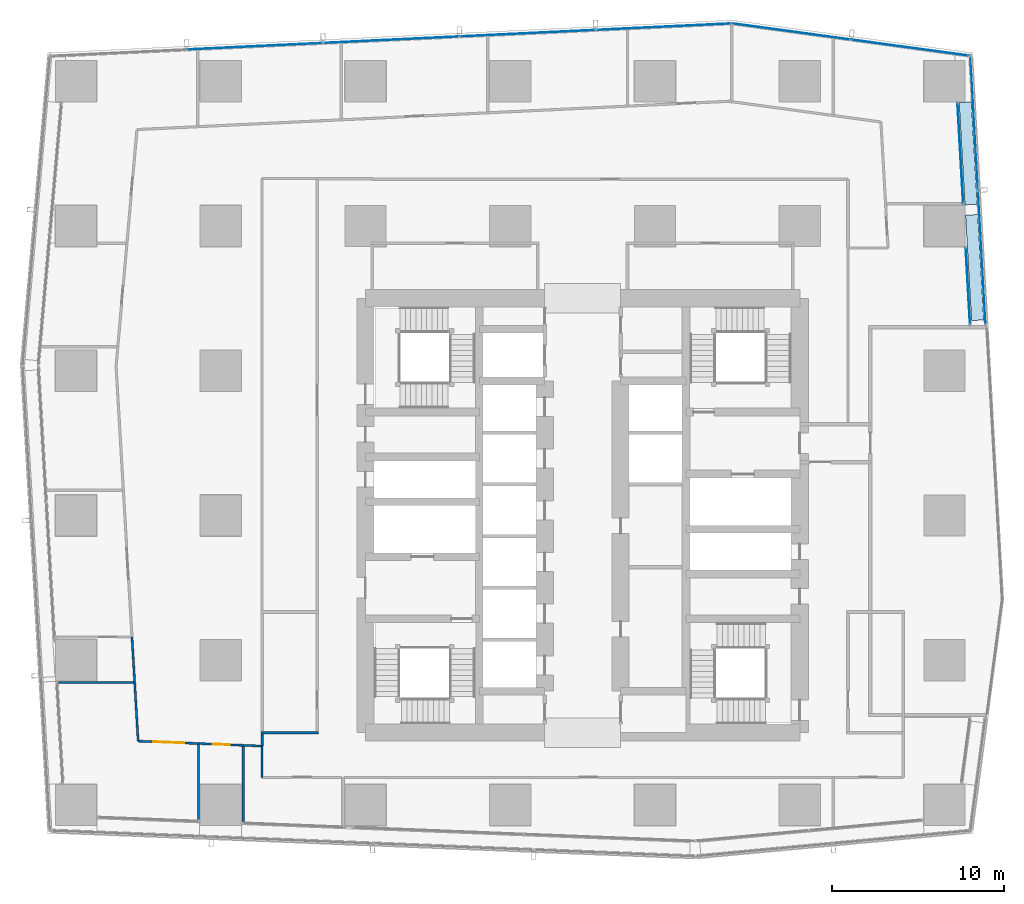
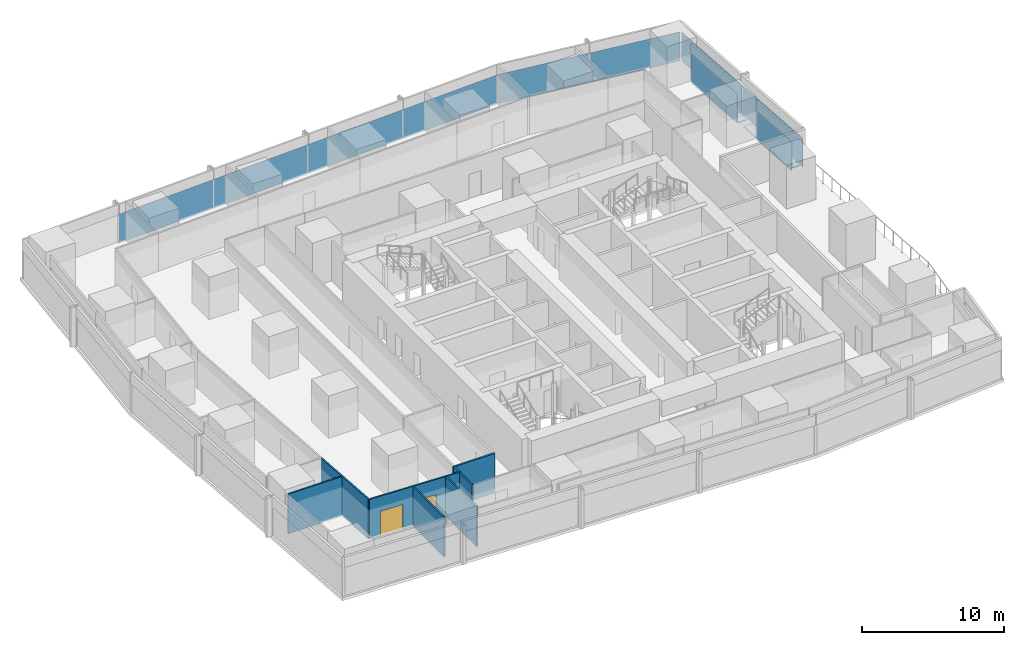
# One storey, part 22 of 34: 12 plates, 11 walls, 2 doors, 2 openings, 5 elements without a shape of their own.
"""IFC4 building model written with IfcOpenShell, lengths in metres."""

from ifc_helpers import new_model, si_unit, direction, frame, frame_2d, origin, origin_2d, place, context, subcontext, project, spatial, rectangle, extrude, material, layer, layer_set, type_object, element, fill, aggregate, save


model = new_model("IFC4")

# Units and contexts
model_context = context("Model", 3, precision=1e-05, world=origin(), true_north=direction((0.0, 1.0)))
body_context = subcontext(model_context, "Body", "Model", "MODEL_VIEW")
ifc_project = project(units=[si_unit("LENGTHUNIT", "METRE"), si_unit("AREAUNIT", "SQUARE_METRE"), si_unit("VOLUMEUNIT", "CUBIC_METRE"), si_unit("PLANEANGLEUNIT", "RADIAN"), si_unit("MASSUNIT", "GRAM", prefix="KILO")], contexts=[model_context])

# Site, building, storey
site_placement = place(None, origin())
site = spatial("IfcSite", under=ifc_project, at=site_placement, CompositionType="ELEMENT")
building_placement = place(site_placement, origin())
building = spatial("IfcBuilding", under=site, at=building_placement, Name="Rekha Terrace Tower", CompositionType="ELEMENT")
storey_placement = place(building_placement, frame((0.0, 0.0, 236.449951171875)))
storey = spatial("IfcBuildingStorey", under=building, at=storey_placement, Name="L60", CompositionType="ELEMENT", Elevation=236.449951171875)

# Curtain wall, plate
ifc_material_1 = material(Name="Aluminium framing", Category="aluminium")
curtain_wall_type_1 = type_object("IfcCurtainWallType", Name="CW1 double skin inner glazing", PredefinedType="USERDEFINED", material=ifc_material_1)
curtain_wall_1_placement = place(storey_placement, origin())
curtain_wall_1 = element("IfcCurtainWall", 1, at=curtain_wall_1_placement, inside=storey, type_object=curtain_wall_type_1, Name="CW1 double skin inner glazing", ObjectType="DOUBLE SKIN INNER GLAZING", PredefinedType="USERDEFINED")
ifc_material_2 = material(Name="Double-glazed low-e unit 32", Category="glass")
ifc_layer_1 = layer(ifc_material_2, 0.031982421875)
ifc_layer_set_1 = layer_set([ifc_layer_1], Name="Double-glazed low-e unit 32")
plate_type_1 = type_object("IfcPlateType", Name="CW1 jumbo vision panel, double-glazed low-e unit 32", PredefinedType="CURTAIN_PANEL", material=ifc_layer_set_1)
plate_1_placement = place(storey_placement, frame((60.1572265625, 46.90478515625, 0.0), z_axis=(0.0, 0.0, 1.0), x_axis=(-0.056673194894, 0.998392782917, 0.0)))
plate_1 = element("IfcPlate", 2, at=plate_1_placement, type_object=plate_type_1, Name="CW1 panel 1.1", PredefinedType="CURTAIN_PANEL", context=body_context, shape_type="SweptSolid", body=[
    extrude(rectangle(XDim=4.430908203125, YDim=0.031982421875, at=origin_2d()), origin(), (0.0, 0.0, 1.0), 2.5),
])
aggregate(curtain_wall_1, [plate_1])

curtain_wall_2_placement = place(storey_placement, origin())
curtain_wall_2 = element("IfcCurtainWall", 3, at=curtain_wall_2_placement, inside=storey, type_object=curtain_wall_type_1, Name="CW1 double skin inner glazing", ObjectType="DOUBLE SKIN INNER GLAZING", PredefinedType="USERDEFINED")
plate_2_placement = place(storey_placement, frame((59.720458984375, 54.60009765625, 0.0), z_axis=(0.0, 0.0, 1.0), x_axis=(-0.056673194877, 0.998392782918, 0.0)))
plate_2 = element("IfcPlate", 4, at=plate_2_placement, type_object=plate_type_1, Name="CW1 panel 1.1", PredefinedType="CURTAIN_PANEL", context=body_context, shape_type="SweptSolid", body=[
    extrude(rectangle(XDim=5.828857421875, YDim=0.031982421875, at=origin_2d()), origin(), (0.0, 0.0, 1.0), 2.5),
])
aggregate(curtain_wall_2, [plate_2])

# Curtain wall, plates
curtain_wall_type_2 = type_object("IfcCurtainWallType", Name="CW2 double skin outer glazing", PredefinedType="USERDEFINED", material=ifc_material_1)
curtain_wall_3_placement = place(storey_placement, origin())
curtain_wall_3 = element("IfcCurtainWall", 5, at=curtain_wall_3_placement, inside=storey, type_object=curtain_wall_type_2, Name="CW2 double skin outer glazing", ObjectType="DOUBLE SKIN OUTER GLAZING", PredefinedType="USERDEFINED")
ifc_material_3 = material(Name="Toughened single glazing 12", Category="glass")
ifc_layer_2 = layer(ifc_material_3, 0.011962890625)
ifc_layer_set_2 = layer_set([ifc_layer_2], Name="Toughened single glazing 12")
plate_type_2 = type_object("IfcPlateType", Name="CW2 jumbo vision panel, toughened single glazing 12", PredefinedType="CURTAIN_PANEL", material=ifc_layer_set_2)
plate_3_placement = place(storey_placement, frame((60.964111328125, 48.568359375, 0.0), z_axis=(0.0, 0.0, 1.0), x_axis=(-0.05667319486, 0.998392782919, 0.0)))
plate_3 = element("IfcPlate", 6, at=plate_3_placement, type_object=plate_type_2, Name="CW2 panel 1.1", PredefinedType="CURTAIN_PANEL", context=body_context, shape_type="SweptSolid", body=[
    extrude(rectangle(XDim=7.733154296875, YDim=0.011962890625, at=origin_2d()), origin(), (0.0, 0.0, 1.0), 2.5),
])
plate_4_placement = place(storey_placement, frame((60.521484375, 56.368896484375, 0.0), z_axis=(0.0, 0.0, 1.0), x_axis=(-0.05667319486, 0.998392782919, 0.0)))
plate_4 = element("IfcPlate", 7, at=plate_4_placement, type_object=plate_type_2, Name="CW2 panel 2.1", PredefinedType="CURTAIN_PANEL", context=body_context, shape_type="SweptSolid", body=[
    extrude(rectangle(XDim=7.733154296875, YDim=0.011962890625, at=origin_2d()), origin(), (0.0, 0.0, 1.0), 2.5),
])
aggregate(curtain_wall_3, [plate_3, plate_4])

curtain_wall_type_3 = type_object("IfcCurtainWallType", Name="CW3 north unitised glazing", PredefinedType="USERDEFINED", material=ifc_material_1)
curtain_wall_4_placement = place(storey_placement, origin())
curtain_wall_4 = element("IfcCurtainWall", 8, at=curtain_wall_4_placement, inside=storey, type_object=curtain_wall_type_3, Name="CW3 unitised curtain wall", ObjectType="UNITISED CURTAIN WALL", PredefinedType="USERDEFINED")
ifc_material_4 = material(Name="Double-glazed unit 28", Category="glass")
ifc_layer_3 = layer(ifc_material_4, 0.028076171875)
ifc_layer_set_3 = layer_set([ifc_layer_3], Name="Double-glazed unit 28")
plate_type_3 = type_object("IfcPlateType", Name="CW3 jumbo vision panel, double-glazed unit 28", PredefinedType="CURTAIN_PANEL", material=ifc_layer_set_3)
plate_5_placement = place(storey_placement, frame((56.797119140625, 60.745361328125, 0.0), z_axis=(0.0, 0.0, 1.0), x_axis=(-0.990867270504, 0.134840840416, 0.0)))
plate_5 = element("IfcPlate", 9, at=plate_5_placement, type_object=plate_type_3, Name="CW3 panel 1.1", PredefinedType="CURTAIN_PANEL", context=body_context, shape_type="SweptSolid", body=[
    extrude(rectangle(XDim=6.8486328125, YDim=0.028076171875, at=origin_2d()), origin(), (0.0, 0.0, 1.0), 2.5),
])
plate_6_placement = place(storey_placement, frame((49.906982421875, 61.682861328125, 0.0), z_axis=(0.0, 0.0, 1.0), x_axis=(-0.990867270504, 0.134840840416, 0.0)))
plate_6 = element("IfcPlate", 10, at=plate_6_placement, type_object=plate_type_3, Name="CW3 panel 2.1", PredefinedType="CURTAIN_PANEL", context=body_context, shape_type="SweptSolid", body=[
    extrude(rectangle(XDim=6.918701171875, YDim=0.028076171875, at=origin_2d()), origin(), (0.0, 0.0, 1.0), 2.5),
])
aggregate(curtain_wall_4, [plate_5, plate_6])

curtain_wall_5_placement = place(storey_placement, origin())
curtain_wall_5 = element("IfcCurtainWall", 11, at=curtain_wall_5_placement, inside=storey, type_object=curtain_wall_type_3, Name="CW3 unitised curtain wall", ObjectType="UNITISED CURTAIN WALL", PredefinedType="USERDEFINED")
plate_7_placement = place(storey_placement, frame((42.50732421875, 61.95947265625, 0.0), z_axis=(0.0, 0.0, 1.0), x_axis=(-0.998858906204, -0.047758616983, 0.0)))
plate_7 = element("IfcPlate", 12, at=plate_7_placement, type_object=plate_type_3, Name="CW3 panel 1.1", PredefinedType="CURTAIN_PANEL", context=body_context, shape_type="SweptSolid", body=[
    extrude(rectangle(XDim=7.81298828125, YDim=0.028076171875, at=origin_2d()), origin(), (0.0, 0.0, 1.0), 2.5),
])
plate_8_placement = place(storey_placement, frame((34.61572265625, 61.58203125, 0.0), z_axis=(0.0, 0.0, 1.0), x_axis=(-0.998858906204, -0.047758616983, 0.0)))
plate_8 = element("IfcPlate", 13, at=plate_8_placement, type_object=plate_type_3, Name="CW3 panel 2.1", PredefinedType="CURTAIN_PANEL", context=body_context, shape_type="SweptSolid", body=[
    extrude(rectangle(XDim=7.84814453125, YDim=0.028076171875, at=origin_2d()), origin(), (0.0, 0.0, 1.0), 2.5),
])
plate_9_placement = place(storey_placement, frame((26.70654296875, 61.203857421875, 0.0), z_axis=(0.0, 0.0, 1.0), x_axis=(-0.998858906204, -0.047758616983, 0.0)))
plate_9 = element("IfcPlate", 14, at=plate_9_placement, type_object=plate_type_3, Name="CW3 panel 3.1", PredefinedType="CURTAIN_PANEL", context=body_context, shape_type="SweptSolid", body=[
    extrude(rectangle(XDim=7.84814453125, YDim=0.028076171875, at=origin_2d()), origin(), (0.0, 0.0, 1.0), 2.5),
])
plate_10_placement = place(storey_placement, frame((18.79736328125, 60.82568359375, 0.0), z_axis=(0.0, 0.0, 1.0), x_axis=(-0.998858906204, -0.047758616983, 0.0)))
plate_10 = element("IfcPlate", 15, at=plate_10_placement, type_object=plate_type_3, Name="CW3 panel 4.1", PredefinedType="CURTAIN_PANEL", context=body_context, shape_type="SweptSolid", body=[
    extrude(rectangle(XDim=7.84814453125, YDim=0.028076171875, at=origin_2d()), origin(), (0.0, 0.0, 1.0), 2.5),
])
aggregate(curtain_wall_5, [plate_7, plate_8, plate_9, plate_10])

# Plates
ifc_material_5 = material(Name="Galvanised steel open grating", Category="steel")
ifc_layer_4 = layer(ifc_material_5, 0.050048828125)
ifc_layer_set_4 = layer_set([ifc_layer_4], Name="Galvanised steel open grating")
plate_type_4 = type_object("IfcPlateType", Name="GT1 cavity walkway grating 50", PredefinedType="USERDEFINED", material=ifc_layer_set_4)
plate_11_placement = place(storey_placement, frame((60.546630859375, 47.98486328125, 0.0), z_axis=(0.0, 0.0, 1.0), x_axis=(-0.05667319486, 0.998392782919, 0.0)))
element("IfcPlate", 16, at=plate_11_placement, inside=storey, type_object=plate_type_4, Name="Cavity walkway grating", ObjectType="CAVITY WALKWAY GRATING", PredefinedType="USERDEFINED", context=body_context, shape_type="SweptSolid", body=[
    extrude(rectangle(XDim=6.124755859375, YDim=0.705078125, at=origin_2d()), origin(), (0.0, 0.0, 1.0), 0.050048828125),
])
plate_12_placement = place(storey_placement, frame((60.17041015625, 54.610595703125, 0.0), z_axis=(0.0, 0.0, 1.0), x_axis=(-0.05667319486, 0.998392782919, 0.0)))
element("IfcPlate", 17, at=plate_12_placement, inside=storey, type_object=plate_type_4, Name="Cavity walkway grating", ObjectType="CAVITY WALKWAY GRATING", PredefinedType="USERDEFINED", context=body_context, shape_type="SweptSolid", body=[
    extrude(rectangle(XDim=5.948486328125, YDim=0.705078125, at=origin_2d()), origin(), (0.0, 0.0, 1.0), 0.050048828125),
])

# Walls
ifc_material_6 = material(Name="Concrete block masonry, 1 hour", Category="masonry")
ifc_layer_5 = layer(ifc_material_6, 0.14990234375)
ifc_layer_set_5 = layer_set([ifc_layer_5], Name="Concrete block masonry, 1 hour")
wall_type_1 = type_object("IfcWallType", Name="WP2 150 tenancy partition", PredefinedType="PARTITIONING", material=ifc_layer_set_5)
wall_1_placement = place(storey_placement, frame((19.125, 21.0, 0.0), z_axis=(0.0, 0.0, 1.0), x_axis=(1.0, 0.0, 0.0)))
element("IfcWall", 18, at=wall_1_placement, inside=storey, type_object=wall_type_1, Name="Men's WC wall L60", PredefinedType="PARTITIONING", context=body_context, shape_type="SweptSolid", body=[
    extrude(rectangle(XDim=3.35009765625, YDim=0.14990234375, at=frame_2d((1.675048828125, 0.0))), origin(), (0.0, 0.0, 1.0), 3.400146484375),
])
wall_2_placement = place(storey_placement, frame((19.199951171875, 20.925048828125, 0.0), z_axis=(0.0, 0.0, 1.0), x_axis=(0.0, -1.0, 0.0)))
element("IfcWall", 19, at=wall_2_placement, inside=storey, type_object=wall_type_1, Name="Partition L60-O1", PredefinedType="PARTITIONING", context=body_context, shape_type="SweptSolid", body=[
    extrude(rectangle(XDim=0.70703125, YDim=0.14990234375, at=frame_2d((0.353515625, 0.0))), origin(), (0.0, 0.0, 1.0), 3.400146484375),
])
ifc_material_7 = material(Name="Two layers of fire-rated gypsum board each side on steel studs, acoustic quilt, 1 hour", Category="steel")
ifc_layer_6 = layer(ifc_material_7, 0.125)
ifc_layer_set_6 = layer_set([ifc_layer_6], Name="Two layers of fire-rated gypsum board each side on steel studs, acoustic quilt, 1 hour")
wall_type_2 = type_object("IfcWallType", Name="WP3 125 office partition", PredefinedType="PARTITIONING", material=ifc_layer_set_6)
wall_3_placement = place(storey_placement, frame((11.64892578125, 26.5458984375, 0.0), z_axis=(0.0, 0.0, 1.0), x_axis=(0.058711043696, -0.998275018894, 0.0)))
element("IfcWall", 20, at=wall_3_placement, inside=storey, type_object=wall_type_2, Name="Partition L60-10", PredefinedType="PARTITIONING", context=body_context, shape_type="SweptSolid", body=[
    extrude(rectangle(XDim=2.607177734375, YDim=0.125, at=frame_2d((1.3037109375, 0.0))), origin(), (0.0, 0.0, 1.0), 3.400146484375),
])
wall_4_placement = place(storey_placement, frame((11.740966796875, 23.906982421875, 0.0), z_axis=(0.0, 0.0, 1.0), x_axis=(-1.0, 0.0, 0.0)))
element("IfcWall", 21, at=wall_4_placement, inside=storey, type_object=wall_type_2, Name="Partition L60-10", PredefinedType="PARTITIONING", context=body_context, shape_type="SweptSolid", body=[
    extrude(rectangle(XDim=4.364013671875, YDim=0.125, at=frame_2d((2.18212890625, 0.0))), origin(), (0.0, 0.0, 1.0), 3.400146484375),
])
wall_5_placement = place(storey_placement, frame((15.508056640625, 20.302978515625, 0.0), z_axis=(0.0, 0.0, 1.0), x_axis=(0.0, -1.0, 0.0)))
element("IfcWall", 22, at=wall_5_placement, inside=storey, type_object=wall_type_2, Name="Partition L60-11", PredefinedType="PARTITIONING", context=body_context, shape_type="SweptSolid", body=[
    extrude(rectangle(XDim=4.361083984375, YDim=0.125, at=frame_2d((2.1806640625, 0.0))), origin(), (0.0, 0.0, 1.0), 3.400146484375),
])
wall_6_placement = place(storey_placement, frame((11.802001953125, 23.94189453125, 0.0), z_axis=(0.0, 0.0, 1.0), x_axis=(0.058925701835, -0.998262371155, 0.0)))
element("IfcWall", 23, at=wall_6_placement, inside=storey, type_object=wall_type_2, Name="Partition L60-11", PredefinedType="PARTITIONING", context=body_context, shape_type="SweptSolid", body=[
    extrude(rectangle(XDim=3.443115234375, YDim=0.125, at=frame_2d((1.7216796875, 0.0))), origin(), (0.0, 0.0, 1.0), 3.400146484375),
])

# Wall, opening, door
wall_7_placement = place(storey_placement, frame((12.0048828125, 20.5048828125, 0.0), z_axis=(0.0, 0.0, 1.0), x_axis=(0.999208321211, -0.039783549637, 0.0)))
wall_7 = element("IfcWall", 24, at=wall_7_placement, inside=storey, type_object=wall_type_2, Name="Partition L60-11", PredefinedType="PARTITIONING", context=body_context, shape_type="SweptSolid", body=[
    extrude(rectangle(XDim=3.540771484375, YDim=0.125, at=frame_2d((1.7705078125, 0.0))), origin(), (0.0, 0.0, 1.0), 3.400146484375),
])
opening_1_placement = place(wall_7_placement, frame((0.8701171875, 0.0, 0.0)))
opening_1 = element("IfcOpeningElement", 25, at=opening_1_placement, cuts=wall_7, Name="Opening D8", PredefinedType="OPENING", context=body_context, shape_type="SweptSolid", body=[
    extrude(rectangle(XDim=1.800048828125, YDim=2.10009765625, at=frame_2d((0.89990234375, 1.050048828125))), frame((0.0, 0.072509765625, 0.0), z_axis=(0.0, -1.0, 0.0), x_axis=(1.0, 0.0, 0.0)), (0.0, 0.0, 1.0), 0.14501953125),
])
ifc_material_8 = material(Name="Timber fire door", Category="wood")
door_type_1 = type_object("IfcDoorType", Name="D8 1800x2100 double leaf door", OperationType="DOUBLE_DOOR_SINGLE_SWING", PredefinedType="DOOR", material=ifc_material_8)
door_1_placement = place(opening_1_placement, origin())
door_1 = element("IfcDoor", 26, at=door_1_placement, inside=storey, type_object=door_type_1, Name="Door board meeting room L60", OperationType="DOUBLE_DOOR_SINGLE_SWING", OverallHeight=2.10009765625, OverallWidth=1.800048828125, PredefinedType="DOOR", context=body_context, shape_type="SweptSolid", body=[
    extrude(rectangle(XDim=1.800048828125, YDim=2.10009765625, at=frame_2d((0.89990234375, 1.050048828125))), frame((0.0, 0.02490234375, 0.0), z_axis=(0.0, -1.0, 0.0), x_axis=(1.0, 0.0, 0.0)), (0.0, 0.0, 1.0), 0.050048828125),
])
fill(opening_1, door_1)

wall_8_placement = place(storey_placement, frame((15.5439453125, 20.364013671875, 0.0), z_axis=(0.0, 0.0, 1.0), x_axis=(0.999194259908, -0.040135158736, 0.0)))
wall_8 = element("IfcWall", 27, at=wall_8_placement, inside=storey, type_object=wall_type_2, Name="Partition L60-12", PredefinedType="PARTITIONING", context=body_context, shape_type="SweptSolid", body=[
    extrude(rectangle(XDim=2.56689453125, YDim=0.125, at=frame_2d((1.283447265625, 0.0))), origin(), (0.0, 0.0, 1.0), 3.400146484375),
])
opening_2_placement = place(wall_8_placement, frame((0.783935546875, 0.0, 0.0)))
opening_2 = element("IfcOpeningElement", 28, at=opening_2_placement, cuts=wall_8, Name="Opening D9", PredefinedType="OPENING", context=body_context, shape_type="SweptSolid", body=[
    extrude(rectangle(XDim=1.0, YDim=2.10009765625, at=frame_2d((0.5, 1.050048828125))), frame((0.0, 0.072509765625, 0.0), z_axis=(0.0, -1.0, 0.0), x_axis=(1.0, 0.0, 0.0)), (0.0, 0.0, 1.0), 0.14501953125),
])
door_type_2 = type_object("IfcDoorType", Name="D9 1000x2100 office door", OperationType="SINGLE_SWING_LEFT", PredefinedType="DOOR", material=ifc_material_8)
door_2_placement = place(opening_2_placement, origin())
door_2 = element("IfcDoor", 29, at=door_2_placement, inside=storey, type_object=door_type_2, Name="Door meeting room L60", OperationType="SINGLE_SWING_LEFT", OverallHeight=2.10009765625, OverallWidth=1.0, PredefinedType="DOOR", context=body_context, shape_type="SweptSolid", body=[
    extrude(rectangle(XDim=1.0, YDim=2.10009765625, at=frame_2d((0.5, 1.050048828125))), frame((0.0, 0.02490234375, 0.0), z_axis=(0.0, -1.0, 0.0), x_axis=(1.0, 0.0, 0.0)), (0.0, 0.0, 1.0), 0.050048828125),
])
fill(opening_2, door_2)

# Walls
wall_9_placement = place(storey_placement, frame((18.10888671875, 20.260986328125, 0.0), z_axis=(0.0, 0.0, 1.0), x_axis=(0.0, -1.0, 0.0)))
element("IfcWall", 30, at=wall_9_placement, inside=storey, type_object=wall_type_2, Name="Partition L60-12", PredefinedType="PARTITIONING", context=body_context, shape_type="SweptSolid", body=[
    extrude(rectangle(XDim=4.423095703125, YDim=0.125, at=frame_2d((2.21142578125, 0.0))), origin(), (0.0, 0.0, 1.0), 3.400146484375),
])
wall_10_placement = place(storey_placement, frame((18.110107421875, 20.260986328125, 0.0), z_axis=(0.0, 0.0, 1.0), x_axis=(0.999223679577, -0.039395915682, 0.0)))
element("IfcWall", 31, at=wall_10_placement, inside=storey, type_object=wall_type_2, Name="Partition L60-13", PredefinedType="PARTITIONING", context=body_context, shape_type="SweptSolid", body=[
    extrude(rectangle(XDim=1.090576171875, YDim=0.125, at=frame_2d((0.54541015625, 0.0))), origin(), (0.0, 0.0, 1.0), 3.400146484375),
])
wall_11_placement = place(storey_placement, frame((19.199951171875, 20.218017578125, 0.0), z_axis=(0.0, 0.0, 1.0), x_axis=(0.0, -1.0, 0.0)))
element("IfcWall", 32, at=wall_11_placement, inside=storey, type_object=wall_type_2, Name="Partition L60-13", PredefinedType="PARTITIONING", context=body_context, shape_type="SweptSolid", body=[
    extrude(rectangle(XDim=1.818115234375, YDim=0.125, at=frame_2d((0.9091796875, 0.0))), origin(), (0.0, 0.0, 1.0), 3.400146484375),
])

save(model, "model.ifc")
